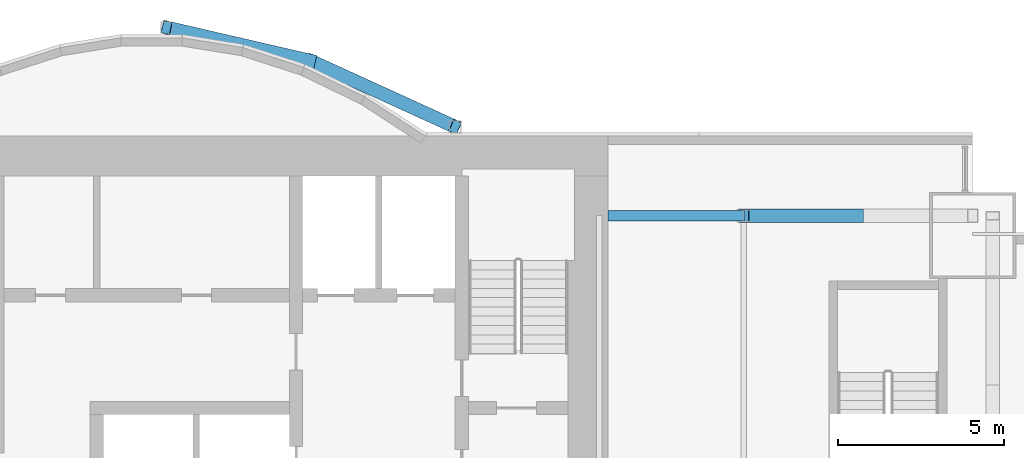
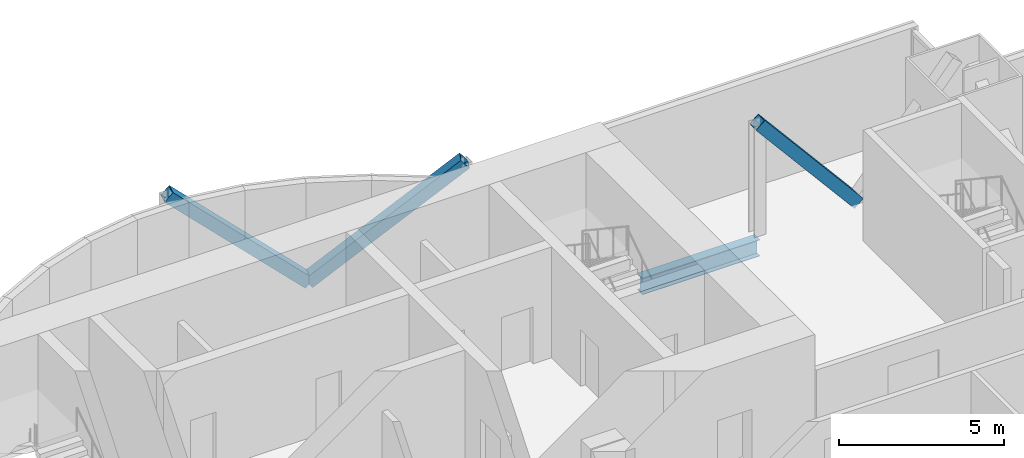
# One storey, part 11 of 21: 3 members, 1 beam.
"""IFC4 building model written with IfcOpenShell, lengths in metres."""

from ifc_helpers import new_model, si_unit, direction, frame, origin, origin_2d, place, context, subcontext, project, spatial, hollow_rectangle, i_section, extrude, material, material_profile, profile_set, type_object, element, save


model = new_model("IFC4")

# Units and contexts
model_context = context("Model", 3, precision=1e-05, world=origin(), true_north=direction((0.0, 1.0)))
body_context = subcontext(model_context, "Body", "Model", "MODEL_VIEW")
ifc_project = project(units=[si_unit("LENGTHUNIT", "METRE"), si_unit("AREAUNIT", "SQUARE_METRE"), si_unit("VOLUMEUNIT", "CUBIC_METRE"), si_unit("PLANEANGLEUNIT", "RADIAN"), si_unit("MASSUNIT", "GRAM", prefix="KILO")], contexts=[model_context])

# Site, building, storey
site_placement = place(None, origin())
site = spatial("IfcSite", under=ifc_project, at=site_placement, CompositionType="ELEMENT")
building_placement = place(site_placement, origin())
building = spatial("IfcBuilding", under=site, at=building_placement, Name="Bicima Exchange Tower", CompositionType="ELEMENT")
storey_placement = place(building_placement, frame((0.0, 0.0, 173.199951171875)))
storey = spatial("IfcBuildingStorey", under=building, at=storey_placement, Name="L38", CompositionType="ELEMENT", Elevation=173.199951171875)

# Members
ifc_material_1 = material(Name="Steel ASTM A572 Gr 50", Category="steel")
ifc_material_profile_1 = material_profile(ifc_material_1, hollow_rectangle(XDim=0.406494140625, YDim=0.406494140625, WallThickness=0.017822265625, at=origin_2d()))
ifc_profile_set_1 = profile_set([ifc_material_profile_1], Name="Steel ASTM A572 Gr 50")
member_type = type_object("IfcMemberType", Name="Mega brace HSS16x16x3/4", PredefinedType="BRACE", material=ifc_profile_set_1)
member_1_placement = place(storey_placement, frame((13.050048828125, 2.262451171875, 0.0), z_axis=(0.690628963585, -0.315060460011, 0.650975069565), x_axis=(0.415045223819, 0.909800781592, 0.0)))
element("IfcMember", 1, at=member_1_placement, inside=storey, type_object=member_type, Name="Mega brace rexo", PredefinedType="BRACE", context=body_context, shape_type="SweptSolid", body=[
    extrude(hollow_rectangle(XDim=0.406494140625, YDim=0.406494140625, WallThickness=0.017822265625, at=origin_2d()), origin(), (0.0, 0.0, 1.0), 6.29833984375),
])
member_2_placement = place(storey_placement, frame((13.050048828125, 2.262451171875, 0.0), z_axis=(-0.717605620354, 0.166050509188, 0.676364843878), x_axis=(-0.225438503722, -0.974257399787, 0.0)))
element("IfcMember", 2, at=member_2_placement, inside=storey, type_object=member_type, Name="Mega brace rexo", PredefinedType="BRACE", context=body_context, shape_type="SweptSolid", body=[
    extrude(hollow_rectangle(XDim=0.406494140625, YDim=0.406494140625, WallThickness=0.017822265625, at=origin_2d()), origin(), (0.0, 0.0, 1.0), 6.06201171875),
])
member_3_placement = place(storey_placement, frame((29.550048828125, -2.39990234375, 0.0), z_axis=(-0.643834042494, 0.0, 0.765165162384), x_axis=(0.0, -1.0, 0.0)))
element("IfcMember", 3, at=member_3_placement, inside=storey, type_object=member_type, Name="Mega brace rear", PredefinedType="BRACE", context=body_context, shape_type="SweptSolid", body=[
    extrude(hollow_rectangle(XDim=0.406494140625, YDim=0.406494140625, WallThickness=0.017822265625, at=origin_2d()), origin(), (0.0, 0.0, 1.0), 5.3583984375),
])

# Beam
ifc_material_2 = material(Name="Steel ASTM A992 Gr 50", Category="steel")
ifc_material_profile_2 = material_profile(ifc_material_2, i_section(OverallWidth=0.3251953125, OverallDepth=0.612060546875, WebThickness=0.0126953125, FlangeThickness=0.01904296875, at=origin_2d()))
ifc_profile_set_2 = profile_set([ifc_material_profile_2], Name="Steel ASTM A992 Gr 50")
beam_type = type_object("IfcBeamType", Name="Rear girder W24x104", PredefinedType="BEAM", material=ifc_profile_set_2)
beam_placement = place(storey_placement, frame((22.0, -2.39990234375, -0.4560546875), z_axis=(1.0, 0.0, 0.0), x_axis=(0.0, 1.0, 0.0)))
element("IfcBeam", 4, at=beam_placement, inside=storey, type_object=beam_type, Name="Rear girder", PredefinedType="BEAM", context=body_context, shape_type="SweptSolid", body=[
    extrude(i_section(OverallWidth=0.3251953125, OverallDepth=0.612060546875, WebThickness=0.0126953125, FlangeThickness=0.01904296875, at=origin_2d()), origin(), (0.0, 0.0, 1.0), 4.10009765625),
])

save(model, "model.ifc")
